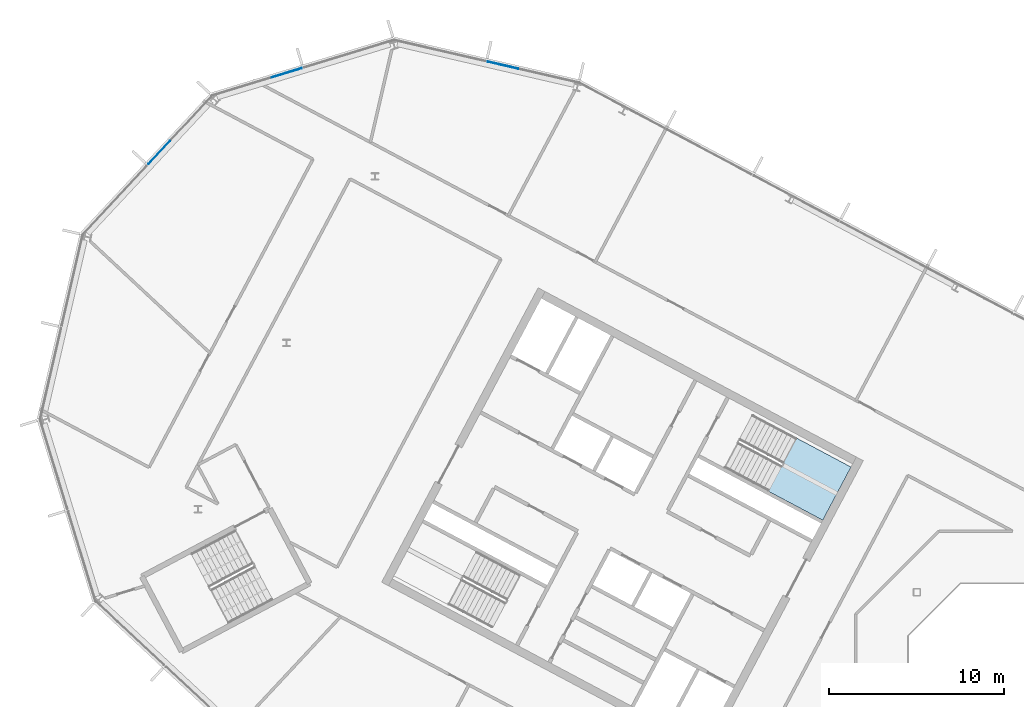
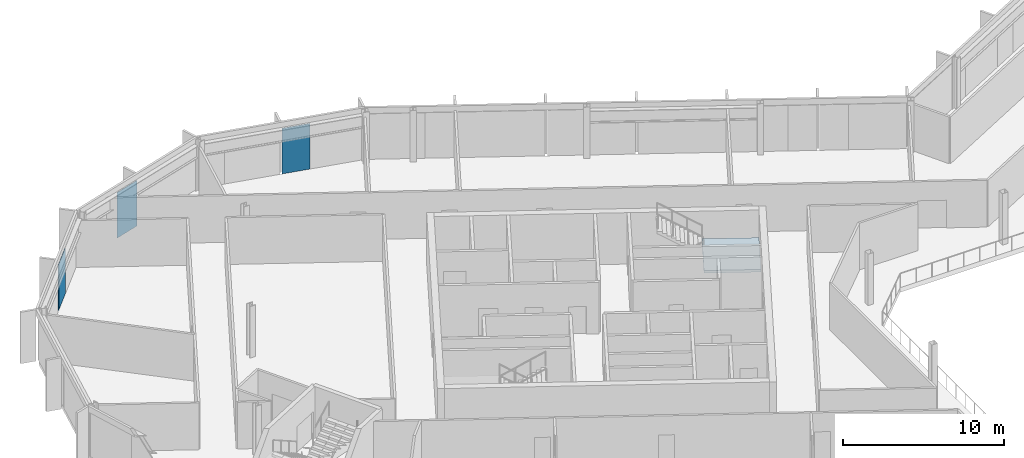
# One storey, part 11 of 26: 3 plates, 1 slab, 4 elements without a shape of their own.
"""IFC4 building model written with IfcOpenShell, lengths in metres."""

from ifc_helpers import new_model, si_unit, direction, frame, origin, origin_2d, place, context, subcontext, project, spatial, polyline, rectangle, outline, extrude, material, layer, layer_set, type_object, element, aggregate, save


model = new_model("IFC4")

# Units and contexts
model_context = context("Model", 3, precision=1e-05, world=origin(), true_north=direction((0.0, 1.0)))
body_context = subcontext(model_context, "Body", "Model", "MODEL_VIEW")
ifc_project = project(units=[si_unit("LENGTHUNIT", "METRE"), si_unit("AREAUNIT", "SQUARE_METRE"), si_unit("VOLUMEUNIT", "CUBIC_METRE"), si_unit("PLANEANGLEUNIT", "RADIAN"), si_unit("MASSUNIT", "GRAM", prefix="KILO")], contexts=[model_context])

# Site, building, storey
site_placement = place(None, origin())
site = spatial("IfcSite", under=ifc_project, at=site_placement, CompositionType="ELEMENT")
building_placement = place(site_placement, origin())
building = spatial("IfcBuilding", under=site, at=building_placement, Name="Cormorant Relay Tower", CompositionType="ELEMENT")
storey_placement = place(building_placement, frame((0.0, 0.0, 269.699951171875)))
storey = spatial("IfcBuildingStorey", under=building, at=storey_placement, Name="L60", CompositionType="ELEMENT", Elevation=269.699951171875)

# Curtain wall, plate
ifc_material_1 = material(Name="Aluminium 6063-T6 anodised bronze", Category="aluminium")
ifc_layer_1 = layer(ifc_material_1, 0.199951171875)
ifc_layer_set_1 = layer_set([ifc_layer_1], Name="CW1 unitised bronze curtain wall with vertical fins")
curtain_wall_type = type_object("IfcCurtainWallType", Name="CW1 unitised bronze curtain wall with vertical fins", PredefinedType="NOTDEFINED", material=ifc_layer_set_1)
curtain_wall_1_placement = place(storey_placement, origin())
curtain_wall_1 = element("IfcCurtainWall", 1, at=curtain_wall_1_placement, inside=storey, type_object=curtain_wall_type, Name="CW1 curtain wall 10", PredefinedType="NOTDEFINED")
ifc_material_2 = material(Name="Tinted laminated glass", Category="glass")
ifc_layer_2 = layer(ifc_material_2, 0.0400390625)
ifc_layer_set_2 = layer_set([ifc_layer_2], Name="CW1 tinted vision panel 1800 module")
plate_type = type_object("IfcPlateType", Name="CW1 tinted vision panel 1800 module", PredefinedType="CURTAIN_PANEL", material=ifc_layer_set_2)
plate_1_placement = place(storey_placement, frame((-34.215087890625, 40.69091796875, 0.0), z_axis=(0.0, 0.0, 1.0), x_axis=(-0.974370064785, 0.224951054344, 0.0)))
plate_1 = element("IfcPlate", 2, at=plate_1_placement, type_object=plate_type, Name="CW1 panel V01", PredefinedType="CURTAIN_PANEL", context=body_context, shape_type="SweptSolid", body=[
    extrude(rectangle(XDim=1.800048828125, YDim=0.0400390625, at=origin_2d()), origin(), (0.0, 0.0, 1.0), 3.449951171875),
])
aggregate(curtain_wall_1, [plate_1])

curtain_wall_2_placement = place(storey_placement, origin())
curtain_wall_2 = element("IfcCurtainWall", 3, at=curtain_wall_2_placement, inside=storey, type_object=curtain_wall_type, Name="CW1 curtain wall 11", PredefinedType="NOTDEFINED")
plate_2_placement = place(storey_placement, frame((-46.6015625, 40.25830078125, 0.0), z_axis=(0.0, 0.0, 1.0), x_axis=(-0.956304755963, -0.292371704723, 0.0)))
plate_2 = element("IfcPlate", 4, at=plate_2_placement, type_object=plate_type, Name="CW1 panel V01", PredefinedType="CURTAIN_PANEL", context=body_context, shape_type="SweptSolid", body=[
    extrude(rectangle(XDim=1.800048828125, YDim=0.0400390625, at=origin_2d()), origin(), (0.0, 0.0, 1.0), 3.449951171875),
])
aggregate(curtain_wall_2, [plate_2])

curtain_wall_3_placement = place(storey_placement, origin())
curtain_wall_3 = element("IfcCurtainWall", 5, at=curtain_wall_3_placement, inside=storey, type_object=curtain_wall_type, Name="CW1 curtain wall 12", PredefinedType="NOTDEFINED")
plate_3_placement = place(storey_placement, frame((-53.91748046875, 35.68701171875, 0.0), z_axis=(0.0, 0.0, 1.0), x_axis=(-0.681998360062, -0.731353701619, 0.0)))
plate_3 = element("IfcPlate", 6, at=plate_3_placement, type_object=plate_type, Name="CW1 panel V01", PredefinedType="CURTAIN_PANEL", context=body_context, shape_type="SweptSolid", body=[
    extrude(rectangle(XDim=1.800048828125, YDim=0.0400390625, at=origin_2d()), origin(), (0.0, 0.0, 1.0), 3.449951171875),
])
aggregate(curtain_wall_3, [plate_3])

# Stair, slab
ifc_material_3 = material(Name="Concrete 40 MPa", Category="concrete")
stair_type = type_object("IfcStairType", Name="Exit stair 1500", PredefinedType="HALF_TURN_STAIR", material=ifc_material_3)
stair_placement = place(storey_placement, origin())
stair = element("IfcStair", 7, at=stair_placement, inside=storey, type_object=stair_type, Name="L60 Stair", PredefinedType="HALF_TURN_STAIR")
ifc_material_4 = material(Name="Concrete 40 MPa", Category="concrete")
ifc_layer_3 = layer(ifc_material_4, 0.199951171875)
ifc_layer_set_3 = layer_set([ifc_layer_3], Name="Exit stair landing 200")
slab_type = type_object("IfcSlabType", Name="Exit stair landing 200", PredefinedType="LANDING", material=ifc_layer_set_3)
slab_placement = place(storey_placement, frame((0.0, 0.0, 1.75)))
slab = element("IfcSlab", 8, at=slab_placement, type_object=slab_type, Name="A1 landing 1", PredefinedType="LANDING", context=body_context, shape_type="SweptSolid", body=[
    extrude(outline(polyline([(-19.029541015625, 16.29052734375), (-15.89501953125, 14.6240234375), (-14.275390625, 17.670166015625), (-17.40966796875, 19.3369140625), (-19.029541015625, 16.29052734375)])), origin(), (0.0, 0.0, 1.0), 0.199951171875),
])
aggregate(stair, [slab])

save(model, "model.ifc")
